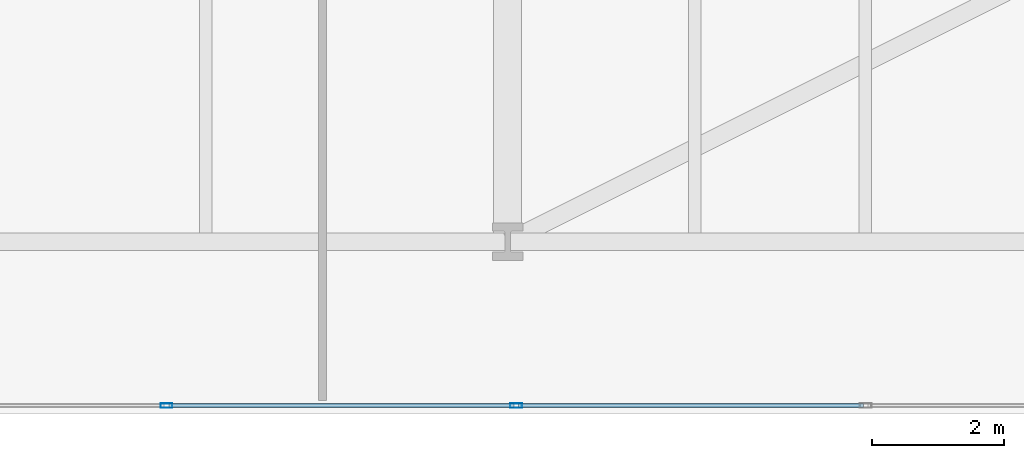
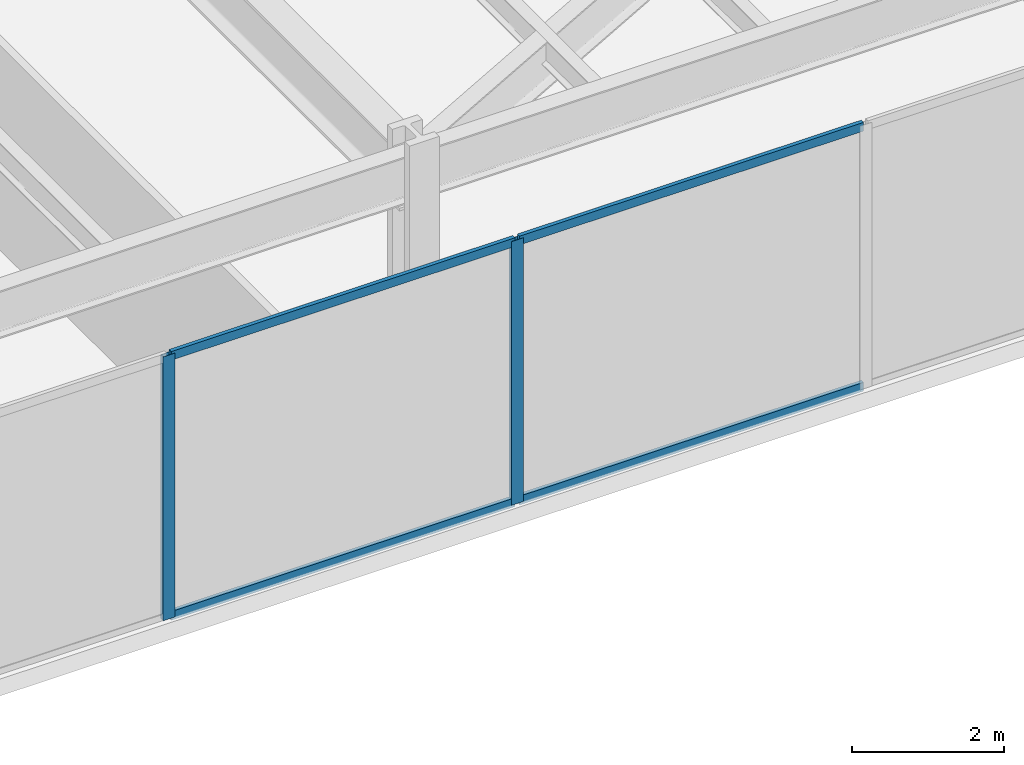
# One storey, part 14 of 28: 6 members, 1 element without a shape of its own.
"""IFC4 building model written with IfcOpenShell, lengths in metres."""

from ifc_helpers import new_model, si_unit, direction, frame, origin, origin_2d, place, context, subcontext, project, spatial, hollow_rectangle, extrude, material, layer, layer_set, material_profile, profile_set, type_object, element, aggregate, save


model = new_model("IFC4")

# Units and contexts
model_context = context("Model", 3, precision=1e-05, world=origin(), true_north=direction((0.0, 1.0)))
body_context = subcontext(model_context, "Body", "Model", "MODEL_VIEW")
ifc_project = project(units=[si_unit("LENGTHUNIT", "METRE"), si_unit("AREAUNIT", "SQUARE_METRE"), si_unit("VOLUMEUNIT", "CUBIC_METRE"), si_unit("PLANEANGLEUNIT", "RADIAN"), si_unit("MASSUNIT", "GRAM", prefix="KILO")], contexts=[model_context])

# Site, building, storey
site_placement = place(None, origin())
site = spatial("IfcSite", under=ifc_project, at=site_placement, CompositionType="ELEMENT")
building_placement = place(site_placement, origin())
building = spatial("IfcBuilding", under=site, at=building_placement, Name="Kravanh Interchange Tower", CompositionType="ELEMENT")
storey_placement = place(building_placement, frame((0.0, 0.0, 15.300048828125)))
storey = spatial("IfcBuildingStorey", under=building, at=storey_placement, Name="L03", CompositionType="ELEMENT", Elevation=15.300048828125)

# Curtain wall, members
ifc_material_1 = material(Name="Anodised Bronze Aluminium", Category="aluminium")
ifc_layer = layer(ifc_material_1, 0.179931640625)
ifc_layer_set = layer_set([ifc_layer], Name="Unitised Curtain Wall System CW-POD Podium Concourse")
curtain_wall_type = type_object("IfcCurtainWallType", Name="Unitised Curtain Wall System CW-POD Podium Concourse", PredefinedType="NOTDEFINED", material=ifc_layer_set)
curtain_wall_placement = place(storey_placement, origin())
curtain_wall = element("IfcCurtainWall", 1, at=curtain_wall_placement, inside=storey, type_object=curtain_wall_type, Name="L03 Unitised Curtain Wall CW-L03-04", PredefinedType="NOTDEFINED")
ifc_material_2 = material(Name="Anodised Bronze Aluminium", Category="aluminium")
ifc_material_profile_1 = material_profile(ifc_material_2, hollow_rectangle(XDim=0.070068359375, YDim=0.179931640625, WallThickness=0.00390625, at=origin_2d()), Name="ALU70X180X4")
ifc_profile_set_1 = profile_set([ifc_material_profile_1], Name="Anodised Bronze Aluminium")
member_type_1 = type_object("IfcMemberType", Name="Curtain Wall Mullion ALU70X180X4 Bronze", PredefinedType="MULLION", material=ifc_profile_set_1)
member_1_placement = place(storey_placement, frame((44.927001953125, 0.1201171875, 0.0), z_axis=(0.0, 0.0, 1.0), x_axis=(0.0, -1.0, 0.0)))
member_1 = element("IfcMember", 2, at=member_1_placement, type_object=member_type_1, Name="CW-POD mullion 6", PredefinedType="MULLION", context=body_context, shape_type="SweptSolid", body=[
    extrude(hollow_rectangle(XDim=0.070068359375, YDim=0.179931640625, WallThickness=0.00390625, at=origin_2d()), origin(), (0.0, 0.0, 1.0), 4.22998046875),
])
member_2_placement = place(storey_placement, frame((39.642333984375, 0.1201171875, 0.0), z_axis=(0.0, 0.0, 1.0), x_axis=(0.0, -1.0, 0.0)))
member_2 = element("IfcMember", 3, at=member_2_placement, type_object=member_type_1, Name="CW-POD mullion 7", PredefinedType="MULLION", context=body_context, shape_type="SweptSolid", body=[
    extrude(hollow_rectangle(XDim=0.070068359375, YDim=0.179931640625, WallThickness=0.00390625, at=origin_2d()), origin(), (0.0, 0.0, 1.0), 4.22998046875),
])
ifc_material_3 = material(Name="Anodised Bronze Aluminium", Category="aluminium")
ifc_material_profile_2 = material_profile(ifc_material_3, hollow_rectangle(XDim=0.06005859375, YDim=0.139892578125, WallThickness=0.00390625, at=origin_2d()), Name="ALU60X140X4")
ifc_profile_set_2 = profile_set([ifc_material_profile_2], Name="Anodised Bronze Aluminium")
member_type_2 = type_object("IfcMemberType", Name="Curtain Wall Transom ALU60X140X4 Bronze", PredefinedType="USERDEFINED", material=ifc_profile_set_2)
member_3_placement = place(storey_placement, frame((50.1767578125, 0.1201171875, 0.030029296875), z_axis=(-1.0, 0.0, 0.0), x_axis=(0.0, -1.0, 0.0)))
member_3 = element("IfcMember", 4, at=member_3_placement, type_object=member_type_2, Name="CW-POD transom 5.1", ObjectType="TRANSOM", PredefinedType="USERDEFINED", context=body_context, shape_type="SweptSolid", body=[
    extrude(hollow_rectangle(XDim=0.06005859375, YDim=0.139892578125, WallThickness=0.00390625, at=origin_2d()), origin(), (0.0, 0.0, 1.0), 5.21484375),
])
member_4_placement = place(storey_placement, frame((50.1767578125, 0.1201171875, 4.199951171875), z_axis=(-1.0, 0.0, 0.0), x_axis=(0.0, -1.0, 0.0)))
member_4 = element("IfcMember", 5, at=member_4_placement, type_object=member_type_2, Name="CW-POD transom 5.2", ObjectType="TRANSOM", PredefinedType="USERDEFINED", context=body_context, shape_type="SweptSolid", body=[
    extrude(hollow_rectangle(XDim=0.06005859375, YDim=0.139892578125, WallThickness=0.00390625, at=origin_2d()), origin(), (0.0, 0.0, 1.0), 5.21484375),
])
member_5_placement = place(storey_placement, frame((44.89208984375, 0.1201171875, 0.030029296875), z_axis=(-1.0, 0.0, 0.0), x_axis=(0.0, -1.0, 0.0)))
member_5 = element("IfcMember", 6, at=member_5_placement, type_object=member_type_2, Name="CW-POD transom 6.1", ObjectType="TRANSOM", PredefinedType="USERDEFINED", context=body_context, shape_type="SweptSolid", body=[
    extrude(hollow_rectangle(XDim=0.06005859375, YDim=0.139892578125, WallThickness=0.00390625, at=origin_2d()), origin(), (0.0, 0.0, 1.0), 5.21484375),
])
member_6_placement = place(storey_placement, frame((44.89208984375, 0.1201171875, 4.199951171875), z_axis=(-1.0, 0.0, 0.0), x_axis=(0.0, -1.0, 0.0)))
member_6 = element("IfcMember", 7, at=member_6_placement, type_object=member_type_2, Name="CW-POD transom 6.2", ObjectType="TRANSOM", PredefinedType="USERDEFINED", context=body_context, shape_type="SweptSolid", body=[
    extrude(hollow_rectangle(XDim=0.06005859375, YDim=0.139892578125, WallThickness=0.00390625, at=origin_2d()), origin(), (0.0, 0.0, 1.0), 5.21484375),
])
aggregate(curtain_wall, [member_1, member_2, member_3, member_4, member_5, member_6])

save(model, "model.ifc")
